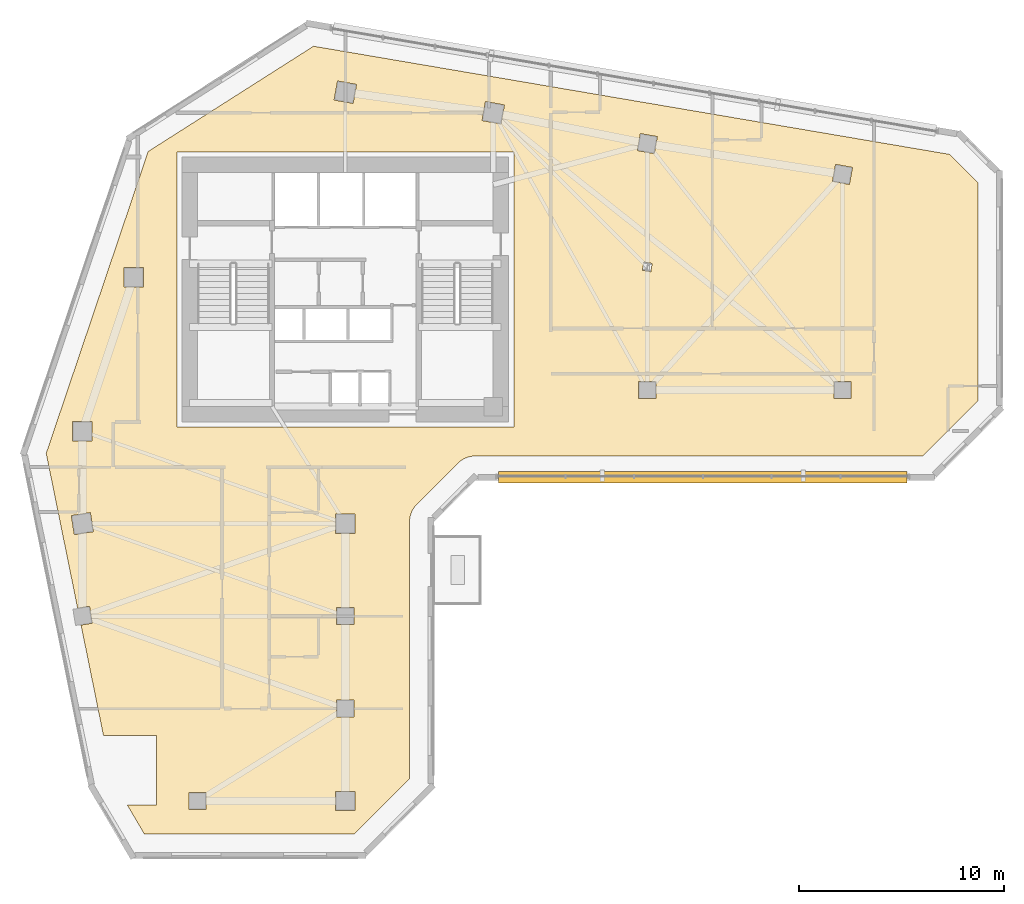
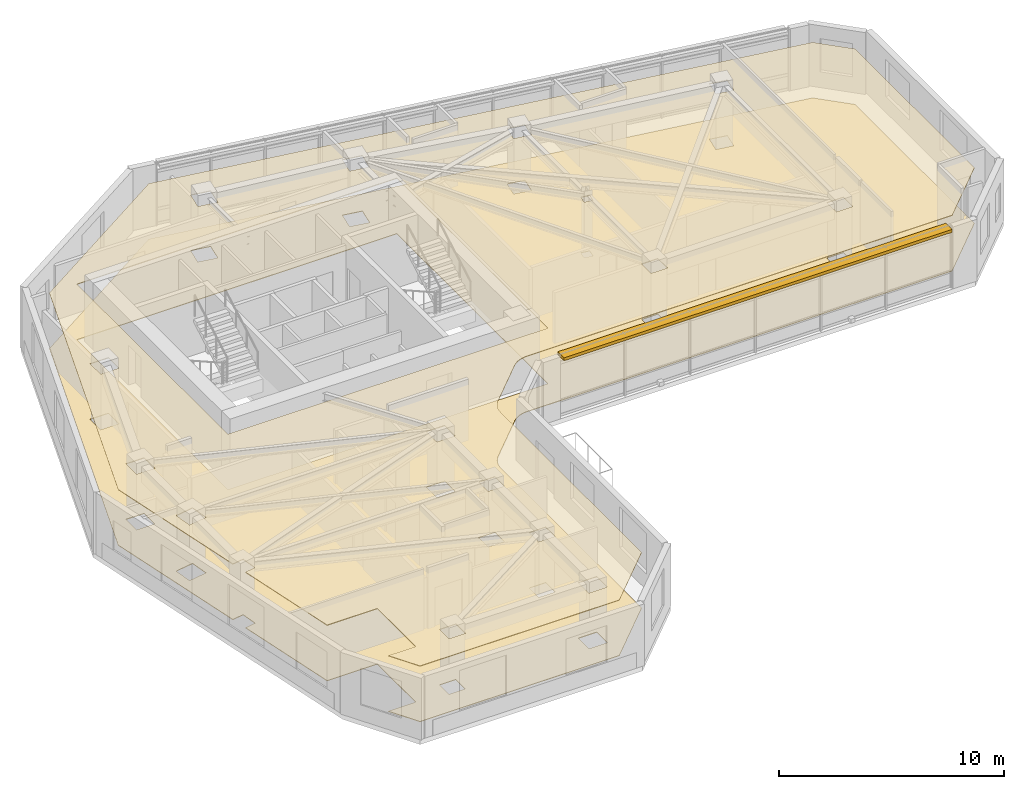
# One storey, part 9 of 10: 2 coverings, 1 shading device.
"""IFC4 building model written with IfcOpenShell, lengths in metres."""

from ifc_helpers import new_model, si_unit, direction, frame, frame_2d, origin, place, context, subcontext, project, spatial, polyline, rectangle, outline, extrude, material, layer, layer_set, type_object, element, save


model = new_model("IFC4")

# Units and contexts
model_context = context("Model", 3, precision=1e-05, world=origin(), true_north=direction((0.0, 1.0)))
body_context = subcontext(model_context, "Body", "Model", "MODEL_VIEW")
ifc_project = project(units=[si_unit("LENGTHUNIT", "METRE"), si_unit("AREAUNIT", "SQUARE_METRE"), si_unit("VOLUMEUNIT", "CUBIC_METRE"), si_unit("PLANEANGLEUNIT", "RADIAN"), si_unit("MASSUNIT", "GRAM", prefix="KILO")], contexts=[model_context])

# Site, building, storey
site_placement = place(None, origin())
site = spatial("IfcSite", under=ifc_project, at=site_placement, CompositionType="ELEMENT")
building_placement = place(site_placement, origin())
building = spatial("IfcBuilding", under=site, at=building_placement, Name="Calvemar Wedge Station Tower", CompositionType="ELEMENT")
storey_placement = place(building_placement, frame((0.0, 0.0, 146.60009765625)))
storey = spatial("IfcBuildingStorey", under=building, at=storey_placement, Name="L36", CompositionType="ELEMENT", Elevation=146.60009765625)

# Coverings
ifc_material_1 = material(Name="Moisture-resistant gypsum ceiling")
ifc_layer_1 = layer(ifc_material_1, 0.0400390625)
ifc_layer_set_1 = layer_set([ifc_layer_1], Name="Moisture-resistant gypsum ceiling")
covering_type_1 = type_object("IfcCoveringType", Name="COV-CEIL-GYPSUM", PredefinedType="CEILING", material=ifc_layer_set_1)
covering_1_placement = place(storey_placement, frame((0.0, 0.0, 3.0)))
element("IfcCovering", 1, at=covering_1_placement, inside=storey, type_object=covering_type_1, Name="Storey L36 Acoustic Suspended Ceiling", PredefinedType="CEILING", context=body_context, shape_type="SweptSolid", body=[
    extrude(outline(polyline([(27.279541015625, 29.4404296875), (29.279541015625, 31.4404296875), (29.36669921875, 31.51953125), (29.461181640625, 31.58984375), (29.562255859375, 31.650390625), (29.668701171875, 31.70068359375), (29.77978515625, 31.740234375), (29.893798828125, 31.768798828125), (30.010498046875, 31.7861328125), (30.1279296875, 31.7919921875), (51.90283203125, 31.7919921875), (54.60009765625, 34.489013671875), (54.60009765625, 45.094970703125), (53.221923828125, 46.47314453125), (22.25439453125, 51.739501953125), (14.201416015625, 46.614990234375), (9.240234375, 31.922119140625), (10.76904296875, 24.388427734375), (11.348388671875, 24.481201171875), (11.481201171875, 23.651611328125), (10.936279296875, 23.564453125), (12.02490234375, 18.199951171875), (14.60009765625, 18.199951171875), (14.60009765625, 14.800048828125), (13.19091796875, 14.800048828125), (14.014404296875, 13.39990234375), (24.23095703125, 13.39990234375), (26.927978515625, 16.09716796875), (26.927978515625, 28.592041015625), (26.933837890625, 28.709716796875), (26.951171875, 28.826171875), (26.979736328125, 28.940185546875), (27.019287109375, 29.05126953125), (27.069580078125, 29.15771484375), (27.130126953125, 29.2587890625), (27.200439453125, 29.353271484375), (27.279541015625, 29.4404296875)]), holes=[polyline([(15.60009765625, 46.60009765625), (32.0, 46.60009765625), (32.0, 33.199951171875), (15.60009765625, 33.199951171875), (15.60009765625, 46.60009765625)]), polyline([(10.530029296875, 32.530029296875), (10.530029296875, 33.469970703125), (11.469970703125, 33.469970703125), (11.469970703125, 32.530029296875), (10.530029296875, 32.530029296875)]), polyline([(13.030029296875, 40.969970703125), (13.969970703125, 40.969970703125), (13.969970703125, 40.030029296875), (13.030029296875, 40.030029296875), (13.030029296875, 40.969970703125)]), polyline([(24.345703125, 49.87939453125), (24.17919921875, 48.9541015625), (23.254150390625, 49.12060546875), (23.420654296875, 50.0458984375), (24.345703125, 49.87939453125)]), polyline([(31.37939453125, 47.9541015625), (30.4541015625, 48.12060546875), (30.62060546875, 49.0458984375), (31.5458984375, 48.87939453125), (31.37939453125, 47.9541015625)]), polyline([(38.01220703125, 46.660888671875), (38.160888671875, 47.48779296875), (38.98779296875, 47.339111328125), (38.839111328125, 46.51220703125), (38.01220703125, 46.660888671875)]), polyline([(47.660888671875, 45.98779296875), (48.48779296875, 45.839111328125), (48.339111328125, 45.01220703125), (47.51220703125, 45.160888671875), (47.660888671875, 45.98779296875)]), polyline([(38.919921875, 35.419921875), (38.919921875, 34.580078125), (38.080078125, 34.580078125), (38.080078125, 35.419921875), (38.919921875, 35.419921875)]), polyline([(48.419921875, 34.580078125), (47.580078125, 34.580078125), (47.580078125, 35.419921875), (48.419921875, 35.419921875), (48.419921875, 34.580078125)]), polyline([(38.259765625, 40.833984375), (38.332763671875, 41.239501953125), (38.740234375, 41.166015625), (38.667236328125, 40.760498046875), (38.259765625, 40.833984375)]), polyline([(11.389892578125, 29.038330078125), (11.538330078125, 28.110107421875), (10.610107421875, 27.961669921875), (10.461669921875, 28.889892578125), (11.389892578125, 29.038330078125)]), polyline([(24.27001953125, 28.030029296875), (23.330078125, 28.030029296875), (23.330078125, 28.969970703125), (24.27001953125, 28.969970703125), (24.27001953125, 28.030029296875)]), polyline([(23.3798828125, 23.580078125), (23.3798828125, 24.419921875), (24.219970703125, 24.419921875), (24.219970703125, 23.580078125), (23.3798828125, 23.580078125)]), polyline([(23.3798828125, 19.919921875), (24.219970703125, 19.919921875), (24.219970703125, 19.080078125), (23.3798828125, 19.080078125), (23.3798828125, 19.919921875)]), polyline([(24.27001953125, 15.469970703125), (24.27001953125, 14.530029296875), (23.330078125, 14.530029296875), (23.330078125, 15.469970703125), (24.27001953125, 15.469970703125)]), polyline([(17.02001953125, 14.580078125), (16.179931640625, 14.580078125), (16.179931640625, 15.419921875), (17.02001953125, 15.419921875), (17.02001953125, 14.580078125)])]), origin(), (0.0, 0.0, 1.0), 0.039794921875),
])
ifc_material_2 = material(Name="Honed coastal granite stone tile", Category="masonry")
ifc_layer_2 = layer(ifc_material_2, 0.030029296875)
ifc_layer_set_2 = layer_set([ifc_layer_2], Name="Honed coastal granite stone tile")
covering_type_2 = type_object("IfcCoveringType", Name="COV-FLR-STONE", PredefinedType="FLOORING", material=ifc_layer_set_2)
covering_2_placement = place(storey_placement, origin())
element("IfcCovering", 2, at=covering_2_placement, inside=storey, type_object=covering_type_2, Name="Storey L36 Architectural Floor Finish", PredefinedType="FLOORING", context=body_context, shape_type="SweptSolid", body=[
    extrude(outline(polyline([(27.279541015625, 29.4404296875), (29.279541015625, 31.4404296875), (29.36669921875, 31.51953125), (29.461181640625, 31.58984375), (29.562255859375, 31.650390625), (29.668701171875, 31.70068359375), (29.77978515625, 31.740234375), (29.893798828125, 31.768798828125), (30.010498046875, 31.7861328125), (30.1279296875, 31.7919921875), (51.90283203125, 31.7919921875), (54.60009765625, 34.489013671875), (54.60009765625, 45.094970703125), (53.221923828125, 46.47314453125), (22.25439453125, 51.739501953125), (14.201416015625, 46.614990234375), (9.240234375, 31.922119140625), (10.76904296875, 24.388427734375), (11.348388671875, 24.481201171875), (11.481201171875, 23.651611328125), (10.936279296875, 23.564453125), (12.02490234375, 18.199951171875), (14.60009765625, 18.199951171875), (14.60009765625, 14.800048828125), (13.19091796875, 14.800048828125), (14.014404296875, 13.39990234375), (24.23095703125, 13.39990234375), (26.927978515625, 16.09716796875), (26.927978515625, 28.592041015625), (26.933837890625, 28.709716796875), (26.951171875, 28.826171875), (26.979736328125, 28.940185546875), (27.019287109375, 29.05126953125), (27.069580078125, 29.15771484375), (27.130126953125, 29.2587890625), (27.200439453125, 29.353271484375), (27.279541015625, 29.4404296875)]), holes=[polyline([(15.60009765625, 46.60009765625), (32.0, 46.60009765625), (32.0, 33.199951171875), (15.60009765625, 33.199951171875), (15.60009765625, 46.60009765625)]), polyline([(10.530029296875, 32.530029296875), (10.530029296875, 33.469970703125), (11.469970703125, 33.469970703125), (11.469970703125, 32.530029296875), (10.530029296875, 32.530029296875)]), polyline([(13.030029296875, 40.969970703125), (13.969970703125, 40.969970703125), (13.969970703125, 40.030029296875), (13.030029296875, 40.030029296875), (13.030029296875, 40.969970703125)]), polyline([(24.345703125, 49.87939453125), (24.17919921875, 48.9541015625), (23.254150390625, 49.12060546875), (23.420654296875, 50.0458984375), (24.345703125, 49.87939453125)]), polyline([(31.37939453125, 47.9541015625), (30.4541015625, 48.12060546875), (30.62060546875, 49.0458984375), (31.5458984375, 48.87939453125), (31.37939453125, 47.9541015625)]), polyline([(38.01220703125, 46.660888671875), (38.160888671875, 47.48779296875), (38.98779296875, 47.339111328125), (38.839111328125, 46.51220703125), (38.01220703125, 46.660888671875)]), polyline([(47.660888671875, 45.98779296875), (48.48779296875, 45.839111328125), (48.339111328125, 45.01220703125), (47.51220703125, 45.160888671875), (47.660888671875, 45.98779296875)]), polyline([(38.919921875, 35.419921875), (38.919921875, 34.580078125), (38.080078125, 34.580078125), (38.080078125, 35.419921875), (38.919921875, 35.419921875)]), polyline([(48.419921875, 34.580078125), (47.580078125, 34.580078125), (47.580078125, 35.419921875), (48.419921875, 35.419921875), (48.419921875, 34.580078125)]), polyline([(38.259765625, 40.833984375), (38.332763671875, 41.239501953125), (38.740234375, 41.166015625), (38.667236328125, 40.760498046875), (38.259765625, 40.833984375)]), polyline([(11.389892578125, 29.038330078125), (11.538330078125, 28.110107421875), (10.610107421875, 27.961669921875), (10.461669921875, 28.889892578125), (11.389892578125, 29.038330078125)]), polyline([(24.27001953125, 28.030029296875), (23.330078125, 28.030029296875), (23.330078125, 28.969970703125), (24.27001953125, 28.969970703125), (24.27001953125, 28.030029296875)]), polyline([(23.3798828125, 23.580078125), (23.3798828125, 24.419921875), (24.219970703125, 24.419921875), (24.219970703125, 23.580078125), (23.3798828125, 23.580078125)]), polyline([(23.3798828125, 19.919921875), (24.219970703125, 19.919921875), (24.219970703125, 19.080078125), (23.3798828125, 19.080078125), (23.3798828125, 19.919921875)]), polyline([(24.27001953125, 15.469970703125), (24.27001953125, 14.530029296875), (23.330078125, 14.530029296875), (23.330078125, 15.469970703125), (24.27001953125, 15.469970703125)]), polyline([(17.02001953125, 14.580078125), (16.179931640625, 14.580078125), (16.179931640625, 15.419921875), (17.02001953125, 15.419921875), (17.02001953125, 14.580078125)])]), origin(), (0.0, 0.0, 1.0), 0.02978515625),
])

# Shading device
ifc_material_3 = material(Name="Precast concrete C45", Category="concrete")
shading_device_type = type_object("IfcShadingDeviceType", Name="SHD-EYEBROW-1", PredefinedType="SHUTTER", material=ifc_material_3)
shading_device_placement = place(storey_placement, frame((31.265869140625, 30.761962890625, 3.169921875), z_axis=(0.0, 0.0, 1.0), x_axis=(1.0, 0.0, 0.0)))
element("IfcShadingDevice", 3, at=shading_device_placement, inside=storey, type_object=shading_device_type, Name="Storey L36 Bronze GFRC Solar Eyebrow 6", PredefinedType="SHUTTER", context=body_context, shape_type="SweptSolid", body=[
    extrude(rectangle(XDim=19.8720703125, YDim=0.550048828125, at=frame_2d((9.93603515625, 0.0))), origin(), (0.0, 0.0, 1.0), 0.159912109375),
])

save(model, "model.ifc")
